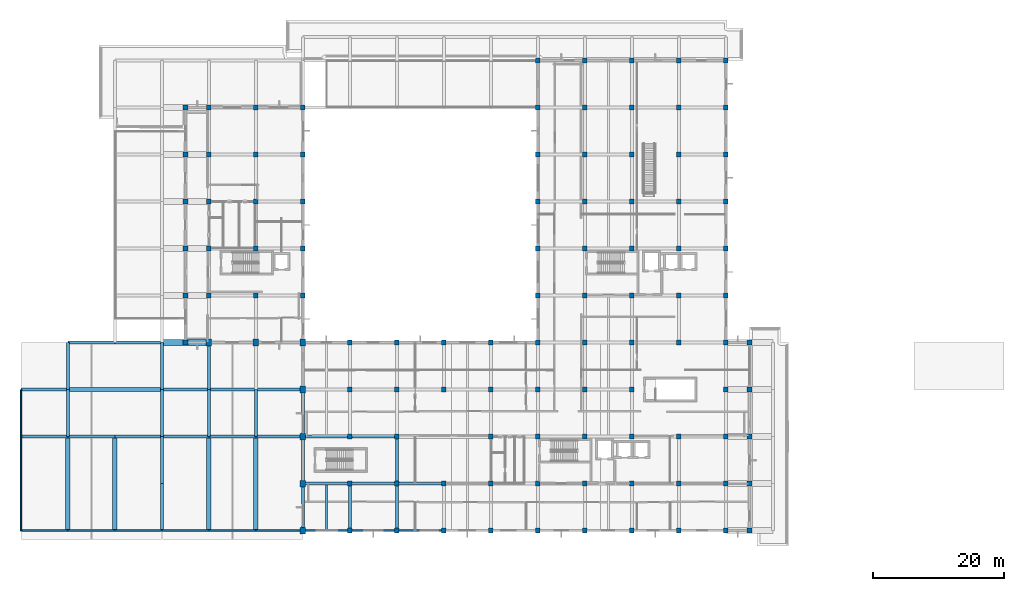
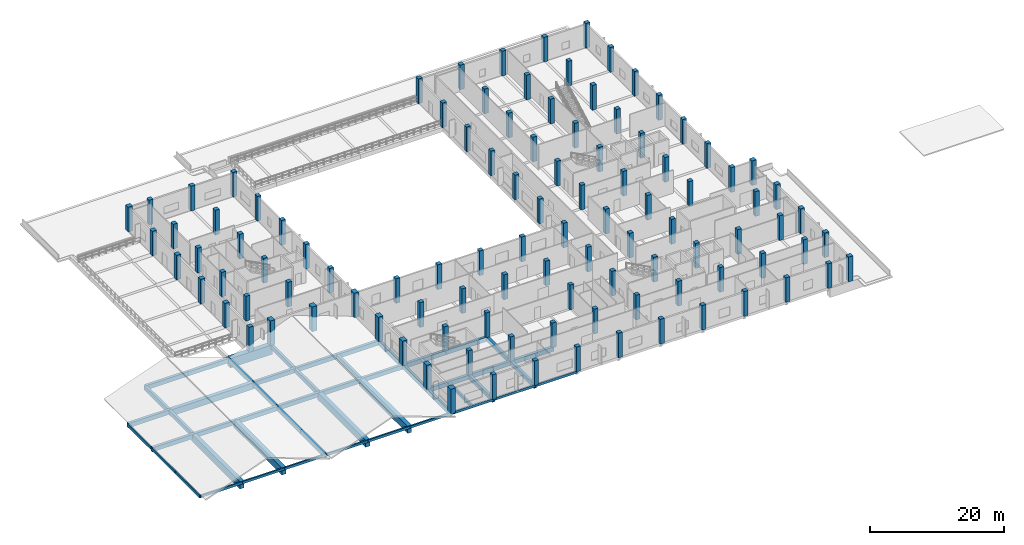
# One storey, part 1 of 24: 106 columns, 51 beams.
"""IFC4 building model written with IfcOpenShell, lengths in metres."""

from ifc_helpers import new_model, si_unit, direction, frame, origin, origin_2d, place, context, subcontext, project, spatial, rectangle, extrude, material, material_profile, profile_set, type_object, element, save


model = new_model("IFC4")

# Units and contexts
model_context = context("Model", 3, precision=1e-05, world=origin(), true_north=direction((0.0, 1.0)))
body_context = subcontext(model_context, "Body", "Model", "MODEL_VIEW")
ifc_project = project(units=[si_unit("LENGTHUNIT", "METRE"), si_unit("AREAUNIT", "SQUARE_METRE"), si_unit("VOLUMEUNIT", "CUBIC_METRE"), si_unit("PLANEANGLEUNIT", "RADIAN"), si_unit("MASSUNIT", "GRAM", prefix="KILO")], contexts=[model_context])

# Site, building, storey
site_placement = place(None, origin())
site = spatial("IfcSite", under=ifc_project, at=site_placement, CompositionType="ELEMENT")
building_placement = place(site_placement, origin())
building = spatial("IfcBuilding", under=site, at=building_placement, Name="Seraya Terrace Polytechnic", CompositionType="ELEMENT")
storey_placement = place(building_placement, frame((0.0, 0.0, 18.89990234375)))
storey = spatial("IfcBuildingStorey", under=building, at=storey_placement, Name="L04", CompositionType="ELEMENT", Elevation=18.89990234375)

# Columns
ifc_material = material(Name="Concrete C40/50", Category="concrete")
ifc_material_profile_1 = material_profile(ifc_material, rectangle(XDim=0.75, YDim=0.75, at=origin_2d()), Name="RC 750x750")
ifc_profile_set_1 = profile_set([ifc_material_profile_1], Name="Concrete C40/50")
column_type_1 = type_object("IfcColumnType", Name="C-06", PredefinedType="COLUMN", material=ifc_profile_set_1)
for number, where, z_axis, x_axis, name in (
    (1, (25.199951171875, 28.800048828125, 0.0), (0.0, 0.0, 1.0), (1.0, 0.0, 0.0), "Column C-06 L04 (25.2, 28.8)"),
    (2, (25.199951171875, 36.0, 0.0), (0.0, 0.0, 1.0), (1.0, 0.0, 0.0), "Column C-06 L04 (25.2, 36.0)"),
    (3, (25.199951171875, 43.199951171875, 0.0), (0.0, 0.0, 1.0), (1.0, 0.0, 0.0), "Column C-06 L04 (25.2, 43.2)"),
    (4, (25.199951171875, 50.39990234375, 0.0), (0.0, 0.0, 1.0), (1.0, 0.0, 0.0), "Column C-06 L04 (25.2, 50.4)"),
    (5, (25.199951171875, 57.60009765625, 0.0), (0.0, 0.0, 1.0), (1.0, 0.0, 0.0), "Column C-06 L04 (25.2, 57.6)"),
    (6, (25.199951171875, 64.800048828125, 0.0), (0.0, 0.0, 1.0), (1.0, 0.0, 0.0), "Column C-06 L04 (25.2, 64.8)"),
    (7, (111.60009765625, 0.0, 0.0), (0.0, 0.0, 1.0), (1.0, 0.0, 0.0), "Column C-06 L04 (111.6, 0.0)"),
    (8, (111.60009765625, 7.199951171875, 0.0), (0.0, 0.0, 1.0), (1.0, 0.0, 0.0), "Column C-06 L04 (111.6, 7.2)"),
    (9, (111.60009765625, 14.39990234375, 0.0), (0.0, 0.0, 1.0), (1.0, 0.0, 0.0), "Column C-06 L04 (111.6, 14.4)"),
    (10, (111.60009765625, 21.60009765625, 0.0), (0.0, 0.0, 1.0), (1.0, 0.0, 0.0), "Column C-06 L04 (111.6, 21.6)"),
    (11, (111.60009765625, 28.800048828125, 0.0), (0.0, 0.0, 1.0), (1.0, 0.0, 0.0), "Column C-06 L04 (111.6, 28.8)"),
):
    element("IfcColumn", number, at=place(storey_placement, frame(where, z_axis=z_axis, x_axis=x_axis)), inside=storey, type_object=column_type_1, Name=name, PredefinedType="COLUMN", context=body_context, shape_type="SweptSolid", body=[
        extrude(rectangle(XDim=0.75, YDim=0.75, at=origin_2d()), origin(), (0.0, 0.0, 1.0), 4.5),
    ])
ifc_material_profile_2 = material_profile(ifc_material, rectangle(XDim=0.699951171875, YDim=0.699951171875, at=origin_2d()), Name="RC 700x700")
ifc_profile_set_2 = profile_set([ifc_material_profile_2], Name="Concrete C40/50")
column_type_2 = type_object("IfcColumnType", Name="C-07", PredefinedType="COLUMN", material=ifc_profile_set_2)
for number, where, z_axis, x_axis, name in (
    (12, (28.800048828125, 36.0, 0.0), (0.0, 0.0, 1.0), (1.0, 0.0, 0.0), "Column C-07 L04 (28.8, 36.0)"),
    (13, (28.800048828125, 43.199951171875, 0.0), (0.0, 0.0, 1.0), (1.0, 0.0, 0.0), "Column C-07 L04 (28.8, 43.2)"),
    (14, (28.800048828125, 50.39990234375, 0.0), (0.0, 0.0, 1.0), (1.0, 0.0, 0.0), "Column C-07 L04 (28.8, 50.4)"),
    (15, (28.800048828125, 57.60009765625, 0.0), (0.0, 0.0, 1.0), (1.0, 0.0, 0.0), "Column C-07 L04 (28.8, 57.6)"),
    (16, (28.800048828125, 64.800048828125, 0.0), (0.0, 0.0, 1.0), (1.0, 0.0, 0.0), "Column C-07 L04 (28.8, 64.8)"),
    (17, (36.0, 36.0, 0.0), (0.0, 0.0, 1.0), (1.0, 0.0, 0.0), "Column C-07 L04 (36.0, 36.0)"),
    (18, (36.0, 43.199951171875, 0.0), (0.0, 0.0, 1.0), (1.0, 0.0, 0.0), "Column C-07 L04 (36.0, 43.2)"),
    (19, (36.0, 50.39990234375, 0.0), (0.0, 0.0, 1.0), (1.0, 0.0, 0.0), "Column C-07 L04 (36.0, 50.4)"),
    (20, (36.0, 57.60009765625, 0.0), (0.0, 0.0, 1.0), (1.0, 0.0, 0.0), "Column C-07 L04 (36.0, 57.6)"),
    (21, (36.0, 64.800048828125, 0.0), (0.0, 0.0, 1.0), (1.0, 0.0, 0.0), "Column C-07 L04 (36.0, 64.8)"),
    (22, (43.199951171875, 36.0, 0.0), (0.0, 0.0, 1.0), (1.0, 0.0, 0.0), "Column C-07 L04 (43.2, 36.0)"),
    (23, (43.199951171875, 43.199951171875, 0.0), (0.0, 0.0, 1.0), (1.0, 0.0, 0.0), "Column C-07 L04 (43.2, 43.2)"),
    (24, (43.199951171875, 50.39990234375, 0.0), (0.0, 0.0, 1.0), (1.0, 0.0, 0.0), "Column C-07 L04 (43.2, 50.4)"),
    (25, (43.199951171875, 57.60009765625, 0.0), (0.0, 0.0, 1.0), (1.0, 0.0, 0.0), "Column C-07 L04 (43.2, 57.6)"),
    (26, (43.199951171875, 64.800048828125, 0.0), (0.0, 0.0, 1.0), (1.0, 0.0, 0.0), "Column C-07 L04 (43.2, 64.8)"),
    (27, (50.39990234375, 0.0, 0.0), (0.0, 0.0, 1.0), (1.0, 0.0, 0.0), "Column C-07 L04 (50.4, 0.0)"),
    (28, (50.39990234375, 7.199951171875, 0.0), (0.0, 0.0, 1.0), (1.0, 0.0, 0.0), "Column C-07 L04 (50.4, 7.2)"),
    (29, (50.39990234375, 14.39990234375, 0.0), (0.0, 0.0, 1.0), (1.0, 0.0, 0.0), "Column C-07 L04 (50.4, 14.4)"),
    (30, (50.39990234375, 21.60009765625, 0.0), (0.0, 0.0, 1.0), (1.0, 0.0, 0.0), "Column C-07 L04 (50.4, 21.6)"),
    (31, (50.39990234375, 28.800048828125, 0.0), (0.0, 0.0, 1.0), (1.0, 0.0, 0.0), "Column C-07 L04 (50.4, 28.8)"),
    (32, (57.60009765625, 0.0, 0.0), (0.0, 0.0, 1.0), (1.0, 0.0, 0.0), "Column C-07 L04 (57.6, 0.0)"),
    (33, (57.60009765625, 7.199951171875, 0.0), (0.0, 0.0, 1.0), (1.0, 0.0, 0.0), "Column C-07 L04 (57.6, 7.2)"),
    (34, (57.60009765625, 14.39990234375, 0.0), (0.0, 0.0, 1.0), (1.0, 0.0, 0.0), "Column C-07 L04 (57.6, 14.4)"),
    (35, (57.60009765625, 21.60009765625, 0.0), (0.0, 0.0, 1.0), (1.0, 0.0, 0.0), "Column C-07 L04 (57.6, 21.6)"),
    (36, (57.60009765625, 28.800048828125, 0.0), (0.0, 0.0, 1.0), (1.0, 0.0, 0.0), "Column C-07 L04 (57.6, 28.8)"),
    (37, (64.800048828125, 0.0, 0.0), (0.0, 0.0, 1.0), (1.0, 0.0, 0.0), "Column C-07 L04 (64.8, 0.0)"),
    (38, (64.800048828125, 7.199951171875, 0.0), (0.0, 0.0, 1.0), (1.0, 0.0, 0.0), "Column C-07 L04 (64.8, 7.2)"),
    (39, (64.800048828125, 21.60009765625, 0.0), (0.0, 0.0, 1.0), (1.0, 0.0, 0.0), "Column C-07 L04 (64.8, 21.6)"),
    (40, (64.800048828125, 28.800048828125, 0.0), (0.0, 0.0, 1.0), (1.0, 0.0, 0.0), "Column C-07 L04 (64.8, 28.8)"),
    (41, (72.0, 0.0, 0.0), (0.0, 0.0, 1.0), (1.0, 0.0, 0.0), "Column C-07 L04 (72.0, 0.0)"),
    (42, (72.0, 7.199951171875, 0.0), (0.0, 0.0, 1.0), (1.0, 0.0, 0.0), "Column C-07 L04 (72.0, 7.2)"),
    (43, (72.0, 14.39990234375, 0.0), (0.0, 0.0, 1.0), (1.0, 0.0, 0.0), "Column C-07 L04 (72.0, 14.4)"),
    (44, (72.0, 21.60009765625, 0.0), (0.0, 0.0, 1.0), (1.0, 0.0, 0.0), "Column C-07 L04 (72.0, 21.6)"),
    (45, (72.0, 28.800048828125, 0.0), (0.0, 0.0, 1.0), (1.0, 0.0, 0.0), "Column C-07 L04 (72.0, 28.8)"),
    (46, (79.199951171875, 0.0, 0.0), (0.0, 0.0, 1.0), (1.0, 0.0, 0.0), "Column C-07 L04 (79.2, 0.0)"),
    (47, (79.199951171875, 7.199951171875, 0.0), (0.0, 0.0, 1.0), (1.0, 0.0, 0.0), "Column C-07 L04 (79.2, 7.2)"),
    (48, (79.199951171875, 14.39990234375, 0.0), (0.0, 0.0, 1.0), (1.0, 0.0, 0.0), "Column C-07 L04 (79.2, 14.4)"),
    (49, (79.199951171875, 21.60009765625, 0.0), (0.0, 0.0, 1.0), (1.0, 0.0, 0.0), "Column C-07 L04 (79.2, 21.6)"),
    (50, (79.199951171875, 28.800048828125, 0.0), (0.0, 0.0, 1.0), (1.0, 0.0, 0.0), "Column C-07 L04 (79.2, 28.8)"),
    (51, (79.199951171875, 36.0, 0.0), (0.0, 0.0, 1.0), (1.0, 0.0, 0.0), "Column C-07 L04 (79.2, 36.0)"),
    (52, (79.199951171875, 43.199951171875, 0.0), (0.0, 0.0, 1.0), (1.0, 0.0, 0.0), "Column C-07 L04 (79.2, 43.2)"),
    (53, (79.199951171875, 50.39990234375, 0.0), (0.0, 0.0, 1.0), (1.0, 0.0, 0.0), "Column C-07 L04 (79.2, 50.4)"),
    (54, (79.199951171875, 57.60009765625, 0.0), (0.0, 0.0, 1.0), (1.0, 0.0, 0.0), "Column C-07 L04 (79.2, 57.6)"),
    (55, (79.199951171875, 64.800048828125, 0.0), (0.0, 0.0, 1.0), (1.0, 0.0, 0.0), "Column C-07 L04 (79.2, 64.8)"),
    (56, (79.199951171875, 72.0, 0.0), (0.0, 0.0, 1.0), (1.0, 0.0, 0.0), "Column C-07 L04 (79.2, 72.0)"),
    (57, (86.39990234375, 0.0, 0.0), (0.0, 0.0, 1.0), (1.0, 0.0, 0.0), "Column C-07 L04 (86.4, 0.0)"),
    (58, (86.39990234375, 7.199951171875, 0.0), (0.0, 0.0, 1.0), (1.0, 0.0, 0.0), "Column C-07 L04 (86.4, 7.2)"),
    (59, (86.39990234375, 14.39990234375, 0.0), (0.0, 0.0, 1.0), (1.0, 0.0, 0.0), "Column C-07 L04 (86.4, 14.4)"),
    (60, (86.39990234375, 21.60009765625, 0.0), (0.0, 0.0, 1.0), (1.0, 0.0, 0.0), "Column C-07 L04 (86.4, 21.6)"),
    (61, (86.39990234375, 28.800048828125, 0.0), (0.0, 0.0, 1.0), (1.0, 0.0, 0.0), "Column C-07 L04 (86.4, 28.8)"),
    (62, (86.39990234375, 36.0, 0.0), (0.0, 0.0, 1.0), (1.0, 0.0, 0.0), "Column C-07 L04 (86.4, 36.0)"),
    (63, (86.39990234375, 43.199951171875, 0.0), (0.0, 0.0, 1.0), (1.0, 0.0, 0.0), "Column C-07 L04 (86.4, 43.2)"),
    (64, (86.39990234375, 50.39990234375, 0.0), (0.0, 0.0, 1.0), (1.0, 0.0, 0.0), "Column C-07 L04 (86.4, 50.4)"),
    (65, (86.39990234375, 57.60009765625, 0.0), (0.0, 0.0, 1.0), (1.0, 0.0, 0.0), "Column C-07 L04 (86.4, 57.6)"),
    (66, (86.39990234375, 64.800048828125, 0.0), (0.0, 0.0, 1.0), (1.0, 0.0, 0.0), "Column C-07 L04 (86.4, 64.8)"),
    (67, (86.39990234375, 72.0, 0.0), (0.0, 0.0, 1.0), (1.0, 0.0, 0.0), "Column C-07 L04 (86.4, 72.0)"),
    (68, (93.60009765625, 0.0, 0.0), (0.0, 0.0, 1.0), (1.0, 0.0, 0.0), "Column C-07 L04 (93.6, 0.0)"),
    (69, (93.60009765625, 7.199951171875, 0.0), (0.0, 0.0, 1.0), (1.0, 0.0, 0.0), "Column C-07 L04 (93.6, 7.2)"),
    (70, (93.60009765625, 14.39990234375, 0.0), (0.0, 0.0, 1.0), (1.0, 0.0, 0.0), "Column C-07 L04 (93.6, 14.4)"),
    (71, (93.60009765625, 21.60009765625, 0.0), (0.0, 0.0, 1.0), (1.0, 0.0, 0.0), "Column C-07 L04 (93.6, 21.6)"),
    (72, (93.60009765625, 28.800048828125, 0.0), (0.0, 0.0, 1.0), (1.0, 0.0, 0.0), "Column C-07 L04 (93.6, 28.8)"),
    (73, (93.60009765625, 36.0, 0.0), (0.0, 0.0, 1.0), (1.0, 0.0, 0.0), "Column C-07 L04 (93.6, 36.0)"),
    (74, (93.60009765625, 43.199951171875, 0.0), (0.0, 0.0, 1.0), (1.0, 0.0, 0.0), "Column C-07 L04 (93.6, 43.2)"),
    (75, (93.60009765625, 50.39990234375, 0.0), (0.0, 0.0, 1.0), (1.0, 0.0, 0.0), "Column C-07 L04 (93.6, 50.4)"),
    (76, (93.60009765625, 57.60009765625, 0.0), (0.0, 0.0, 1.0), (1.0, 0.0, 0.0), "Column C-07 L04 (93.6, 57.6)"),
    (77, (93.60009765625, 64.800048828125, 0.0), (0.0, 0.0, 1.0), (1.0, 0.0, 0.0), "Column C-07 L04 (93.6, 64.8)"),
    (78, (93.60009765625, 72.0, 0.0), (0.0, 0.0, 1.0), (1.0, 0.0, 0.0), "Column C-07 L04 (93.6, 72.0)"),
    (79, (100.800048828125, 0.0, 0.0), (0.0, 0.0, 1.0), (1.0, 0.0, 0.0), "Column C-07 L04 (100.8, 0.0)"),
    (80, (100.800048828125, 7.199951171875, 0.0), (0.0, 0.0, 1.0), (1.0, 0.0, 0.0), "Column C-07 L04 (100.8, 7.2)"),
    (81, (100.800048828125, 14.39990234375, 0.0), (0.0, 0.0, 1.0), (1.0, 0.0, 0.0), "Column C-07 L04 (100.8, 14.4)"),
    (82, (100.800048828125, 28.800048828125, 0.0), (0.0, 0.0, 1.0), (1.0, 0.0, 0.0), "Column C-07 L04 (100.8, 28.8)"),
    (83, (100.800048828125, 36.0, 0.0), (0.0, 0.0, 1.0), (1.0, 0.0, 0.0), "Column C-07 L04 (100.8, 36.0)"),
    (84, (100.800048828125, 43.199951171875, 0.0), (0.0, 0.0, 1.0), (1.0, 0.0, 0.0), "Column C-07 L04 (100.8, 43.2)"),
    (85, (100.800048828125, 50.39990234375, 0.0), (0.0, 0.0, 1.0), (1.0, 0.0, 0.0), "Column C-07 L04 (100.8, 50.4)"),
    (86, (100.800048828125, 57.60009765625, 0.0), (0.0, 0.0, 1.0), (1.0, 0.0, 0.0), "Column C-07 L04 (100.8, 57.6)"),
    (87, (100.800048828125, 64.800048828125, 0.0), (0.0, 0.0, 1.0), (1.0, 0.0, 0.0), "Column C-07 L04 (100.8, 64.8)"),
    (88, (100.800048828125, 72.0, 0.0), (0.0, 0.0, 1.0), (1.0, 0.0, 0.0), "Column C-07 L04 (100.8, 72.0)"),
    (89, (108.0, 0.0, 0.0), (0.0, 0.0, 1.0), (1.0, 0.0, 0.0), "Column C-07 L04 (108.0, 0.0)"),
    (90, (108.0, 7.199951171875, 0.0), (0.0, 0.0, 1.0), (1.0, 0.0, 0.0), "Column C-07 L04 (108.0, 7.2)"),
    (91, (108.0, 14.39990234375, 0.0), (0.0, 0.0, 1.0), (1.0, 0.0, 0.0), "Column C-07 L04 (108.0, 14.4)"),
    (92, (108.0, 21.60009765625, 0.0), (0.0, 0.0, 1.0), (1.0, 0.0, 0.0), "Column C-07 L04 (108.0, 21.6)"),
    (93, (108.0, 28.800048828125, 0.0), (0.0, 0.0, 1.0), (1.0, 0.0, 0.0), "Column C-07 L04 (108.0, 28.8)"),
    (94, (108.0, 36.0, 0.0), (0.0, 0.0, 1.0), (1.0, 0.0, 0.0), "Column C-07 L04 (108.0, 36.0)"),
    (95, (108.0, 43.199951171875, 0.0), (0.0, 0.0, 1.0), (1.0, 0.0, 0.0), "Column C-07 L04 (108.0, 43.2)"),
    (96, (108.0, 50.39990234375, 0.0), (0.0, 0.0, 1.0), (1.0, 0.0, 0.0), "Column C-07 L04 (108.0, 50.4)"),
    (97, (108.0, 57.60009765625, 0.0), (0.0, 0.0, 1.0), (1.0, 0.0, 0.0), "Column C-07 L04 (108.0, 57.6)"),
    (98, (108.0, 64.800048828125, 0.0), (0.0, 0.0, 1.0), (1.0, 0.0, 0.0), "Column C-07 L04 (108.0, 64.8)"),
    (99, (108.0, 72.0, 0.0), (0.0, 0.0, 1.0), (1.0, 0.0, 0.0), "Column C-07 L04 (108.0, 72.0)"),
):
    element("IfcColumn", number, at=place(storey_placement, frame(where, z_axis=z_axis, x_axis=x_axis)), inside=storey, type_object=column_type_2, Name=name, PredefinedType="COLUMN", context=body_context, shape_type="SweptSolid", body=[
        extrude(rectangle(XDim=0.699951171875, YDim=0.699951171875, at=origin_2d()), origin(), (0.0, 0.0, 1.0), 4.5),
    ])
ifc_material_profile_3 = material_profile(ifc_material, rectangle(XDim=0.800048828125, YDim=1.0, at=origin_2d()), Name="RC 800x1000")
ifc_profile_set_3 = profile_set([ifc_material_profile_3], Name="Concrete C40/50")
column_type_3 = type_object("IfcColumnType", Name="C-14", PredefinedType="COLUMN", material=ifc_profile_set_3)
for number, where, z_axis, x_axis, name in (
    (100, (28.800048828125, 28.800048828125, 0.0), (0.0, 0.0, 1.0), (1.0, 0.0, 0.0), "Column C-14 L04 (28.8, 28.8)"),
    (101, (36.0, 28.800048828125, 0.0), (0.0, 0.0, 1.0), (1.0, 0.0, 0.0), "Column C-14 L04 (36.0, 28.8)"),
    (102, (43.199951171875, 0.0, 0.0), (0.0, 0.0, 1.0), (1.0, 0.0, 0.0), "Column C-14 L04 (43.2, 0.0)"),
    (103, (43.199951171875, 7.199951171875, 0.0), (0.0, 0.0, 1.0), (1.0, 0.0, 0.0), "Column C-14 L04 (43.2, 7.2)"),
    (104, (43.199951171875, 14.39990234375, 0.0), (0.0, 0.0, 1.0), (1.0, 0.0, 0.0), "Column C-14 L04 (43.2, 14.4)"),
    (105, (43.199951171875, 21.60009765625, 0.0), (0.0, 0.0, 1.0), (1.0, 0.0, 0.0), "Column C-14 L04 (43.2, 21.6)"),
    (106, (43.199951171875, 28.800048828125, 0.0), (0.0, 0.0, 1.0), (1.0, 0.0, 0.0), "Column C-14 L04 (43.2, 28.8)"),
):
    element("IfcColumn", number, at=place(storey_placement, frame(where, z_axis=z_axis, x_axis=x_axis)), inside=storey, type_object=column_type_3, Name=name, PredefinedType="COLUMN", context=body_context, shape_type="SweptSolid", body=[
        extrude(rectangle(XDim=0.800048828125, YDim=1.0, at=origin_2d()), origin(), (0.0, 0.0, 1.0), 4.5),
    ])

# Beams
ifc_material_profile_4 = material_profile(ifc_material, rectangle(XDim=0.699951171875, YDim=1.300048828125, at=origin_2d()), Name="RC 700x1300")
ifc_profile_set_4 = profile_set([ifc_material_profile_4], Name="Concrete C40/50")
beam_type_1 = type_object("IfcBeamType", Name="BG-01", PredefinedType="USERDEFINED", material=ifc_profile_set_4)
for number, where, z_axis, x_axis, name in (
    (107, (7.199951171875, 0.0, -0.64990234375), (0.0, 1.0, 0.0), (-1.0, 0.0, 0.0), "Beam BG-01 L04 Y (7.2, 0.0..14.4)"),
    (108, (14.39990234375, 0.0, -0.64990234375), (0.0, 1.0, 0.0), (-1.0, 0.0, 0.0), "Beam BG-01 L04 Y (14.4, 0.0..14.4)"),
    (109, (28.800048828125, 0.0, -0.64990234375), (0.0, 1.0, 0.0), (-1.0, 0.0, 0.0), "Beam BG-01 L04 Y (28.8, 0.0..14.4)"),
    (110, (36.0, 0.0, -0.64990234375), (0.0, 1.0, 0.0), (-1.0, 0.0, 0.0), "Beam BG-01 L04 Y (36.0, 0.0..14.4)"),
):
    element("IfcBeam", number, at=place(storey_placement, frame(where, z_axis=z_axis, x_axis=x_axis)), inside=storey, type_object=beam_type_1, Name=name, ObjectType="GIRDER", PredefinedType="USERDEFINED", context=body_context, shape_type="SweptSolid", body=[
        extrude(rectangle(XDim=0.699951171875, YDim=1.300048828125, at=origin_2d()), origin(), (0.0, 0.0, 1.0), 14.39990234375),
    ])
ifc_material_profile_5 = material_profile(ifc_material, rectangle(XDim=0.64990234375, YDim=1.14990234375, at=origin_2d()), Name="RC 650x1150")
ifc_profile_set_5 = profile_set([ifc_material_profile_5], Name="Concrete C40/50")
beam_type_2 = type_object("IfcBeamType", Name="BG-02", PredefinedType="USERDEFINED", material=ifc_profile_set_5)
beam_1_placement = place(storey_placement, frame((7.199951171875, 21.60009765625, -0.574951171875), z_axis=(1.0, 0.0, 0.0), x_axis=(0.0, 1.0, 0.0)))
element("IfcBeam", 111, at=beam_1_placement, inside=storey, type_object=beam_type_2, Name="Beam BG-02 L04 X (7.2..21.6, 21.6)", ObjectType="GIRDER", PredefinedType="USERDEFINED", context=body_context, shape_type="SweptSolid", body=[
    extrude(rectangle(XDim=0.64990234375, YDim=1.14990234375, at=origin_2d()), origin(), (0.0, 0.0, 1.0), 14.400146484375),
])
ifc_material_profile_6 = material_profile(ifc_material, rectangle(XDim=0.47998046875, YDim=0.780029296875, at=origin_2d()), Name="RC 480x780")
ifc_profile_set_6 = profile_set([ifc_material_profile_6], Name="Concrete C40/50")
beam_type_3 = type_object("IfcBeamType", Name="BM-06", PredefinedType="BEAM", material=ifc_profile_set_6)
beam_2_placement = place(storey_placement, frame((43.199951171875, 7.199951171875, -0.389892578125), z_axis=(1.0, 0.0, 0.0), x_axis=(0.0, 1.0, 0.0)))
element("IfcBeam", 112, at=beam_2_placement, inside=storey, type_object=beam_type_3, Name="Beam BM-06 L04 X (43.2..50.4, 7.2)", PredefinedType="BEAM", context=body_context, shape_type="SweptSolid", body=[
    extrude(rectangle(XDim=0.47998046875, YDim=0.780029296875, at=origin_2d()), origin(), (0.0, 0.0, 1.0), 7.199951171875),
])
beam_3_placement = place(storey_placement, frame((50.39990234375, 7.199951171875, -0.389892578125), z_axis=(1.0, 0.0, 0.0), x_axis=(0.0, 1.0, 0.0)))
element("IfcBeam", 113, at=beam_3_placement, inside=storey, type_object=beam_type_3, Name="Beam BM-06 L04 X (50.4..57.6, 7.2)", PredefinedType="BEAM", context=body_context, shape_type="SweptSolid", body=[
    extrude(rectangle(XDim=0.47998046875, YDim=0.780029296875, at=origin_2d()), origin(), (0.0, 0.0, 1.0), 7.2001953125),
])
for number, where, z_axis, x_axis, name in (
    (114, (57.60009765625, 7.199951171875, -0.389892578125), (1.0, 0.0, 0.0), (0.0, 1.0, 0.0), "Beam BM-06 L04 X (57.6..64.8, 7.2)"),
    (115, (0.0, 14.39990234375, -0.389892578125), (1.0, 0.0, 0.0), (0.0, 1.0, 0.0), "Beam BM-06 L04 X (0.0..7.2, 14.4)"),
    (116, (7.199951171875, 14.39990234375, -0.389892578125), (1.0, 0.0, 0.0), (0.0, 1.0, 0.0), "Beam BM-06 L04 X (7.2..14.4, 14.4)"),
):
    element("IfcBeam", number, at=place(storey_placement, frame(where, z_axis=z_axis, x_axis=x_axis)), inside=storey, type_object=beam_type_3, Name=name, PredefinedType="BEAM", context=body_context, shape_type="SweptSolid", body=[
        extrude(rectangle(XDim=0.47998046875, YDim=0.780029296875, at=origin_2d()), origin(), (0.0, 0.0, 1.0), 7.199951171875),
    ])
beam_4_placement = place(storey_placement, frame((14.39990234375, 14.39990234375, -0.389892578125), z_axis=(1.0, 0.0, 0.0), x_axis=(0.0, 1.0, 0.0)))
element("IfcBeam", 117, at=beam_4_placement, inside=storey, type_object=beam_type_3, Name="Beam BM-06 L04 X (14.4..21.6, 14.4)", PredefinedType="BEAM", context=body_context, shape_type="SweptSolid", body=[
    extrude(rectangle(XDim=0.47998046875, YDim=0.780029296875, at=origin_2d()), origin(), (0.0, 0.0, 1.0), 7.2001953125),
])
for number, where, z_axis, x_axis, name in (
    (118, (21.60009765625, 14.39990234375, -0.389892578125), (1.0, 0.0, 0.0), (0.0, 1.0, 0.0), "Beam BM-06 L04 X (21.6..28.8, 14.4)"),
    (119, (28.800048828125, 14.39990234375, -0.389892578125), (1.0, 0.0, 0.0), (0.0, 1.0, 0.0), "Beam BM-06 L04 X (28.8..36.0, 14.4)"),
    (120, (36.0, 14.39990234375, -0.389892578125), (1.0, 0.0, 0.0), (0.0, 1.0, 0.0), "Beam BM-06 L04 X (36.0..43.2, 14.4)"),
    (121, (43.199951171875, 14.39990234375, -0.389892578125), (1.0, 0.0, 0.0), (0.0, 1.0, 0.0), "Beam BM-06 L04 X (43.2..50.4, 14.4)"),
):
    element("IfcBeam", number, at=place(storey_placement, frame(where, z_axis=z_axis, x_axis=x_axis)), inside=storey, type_object=beam_type_3, Name=name, PredefinedType="BEAM", context=body_context, shape_type="SweptSolid", body=[
        extrude(rectangle(XDim=0.47998046875, YDim=0.780029296875, at=origin_2d()), origin(), (0.0, 0.0, 1.0), 7.199951171875),
    ])
beam_5_placement = place(storey_placement, frame((50.39990234375, 14.39990234375, -0.389892578125), z_axis=(1.0, 0.0, 0.0), x_axis=(0.0, 1.0, 0.0)))
element("IfcBeam", 122, at=beam_5_placement, inside=storey, type_object=beam_type_3, Name="Beam BM-06 L04 X (50.4..57.6, 14.4)", PredefinedType="BEAM", context=body_context, shape_type="SweptSolid", body=[
    extrude(rectangle(XDim=0.47998046875, YDim=0.780029296875, at=origin_2d()), origin(), (0.0, 0.0, 1.0), 7.2001953125),
])
for number, where, z_axis, x_axis, name in (
    (123, (0.0, 21.60009765625, -0.389892578125), (1.0, 0.0, 0.0), (0.0, 1.0, 0.0), "Beam BM-06 L04 X (0.0..7.2, 21.6)"),
    (124, (21.60009765625, 21.60009765625, -0.389892578125), (1.0, 0.0, 0.0), (0.0, 1.0, 0.0), "Beam BM-06 L04 X (21.6..28.8, 21.6)"),
    (125, (28.800048828125, 21.60009765625, -0.389892578125), (1.0, 0.0, 0.0), (0.0, 1.0, 0.0), "Beam BM-06 L04 X (28.8..36.0, 21.6)"),
    (126, (36.0, 21.60009765625, -0.389892578125), (1.0, 0.0, 0.0), (0.0, 1.0, 0.0), "Beam BM-06 L04 X (36.0..43.2, 21.6)"),
    (127, (7.199951171875, 28.800048828125, -0.389892578125), (1.0, 0.0, 0.0), (0.0, 1.0, 0.0), "Beam BM-06 L04 X (7.2..14.4, 28.8)"),
):
    element("IfcBeam", number, at=place(storey_placement, frame(where, z_axis=z_axis, x_axis=x_axis)), inside=storey, type_object=beam_type_3, Name=name, PredefinedType="BEAM", context=body_context, shape_type="SweptSolid", body=[
        extrude(rectangle(XDim=0.47998046875, YDim=0.780029296875, at=origin_2d()), origin(), (0.0, 0.0, 1.0), 7.199951171875),
    ])
beam_6_placement = place(storey_placement, frame((14.39990234375, 28.800048828125, -0.389892578125), z_axis=(1.0, 0.0, 0.0), x_axis=(0.0, 1.0, 0.0)))
element("IfcBeam", 128, at=beam_6_placement, inside=storey, type_object=beam_type_3, Name="Beam BM-06 L04 X (14.4..21.6, 28.8)", PredefinedType="BEAM", context=body_context, shape_type="SweptSolid", body=[
    extrude(rectangle(XDim=0.47998046875, YDim=0.780029296875, at=origin_2d()), origin(), (0.0, 0.0, 1.0), 7.2001953125),
])
ifc_material_profile_7 = material_profile(ifc_material, rectangle(XDim=0.449951171875, YDim=0.75, at=origin_2d()), Name="RC 450x750")
ifc_profile_set_7 = profile_set([ifc_material_profile_7], Name="Concrete C40/50")
beam_type_4 = type_object("IfcBeamType", Name="BM-08", PredefinedType="BEAM", material=ifc_profile_set_7)
beam_7_placement = place(storey_placement, frame((7.199951171875, 14.39990234375, -0.375), z_axis=(0.0, 1.0, 0.0), x_axis=(-1.0, 0.0, 0.0)))
element("IfcBeam", 129, at=beam_7_placement, inside=storey, type_object=beam_type_4, Name="Beam BM-08 L04 Y (7.2, 14.4..21.6)", PredefinedType="BEAM", context=body_context, shape_type="SweptSolid", body=[
    extrude(rectangle(XDim=0.449951171875, YDim=0.75, at=origin_2d()), origin(), (0.0, 0.0, 1.0), 7.2001953125),
])
for number, where, z_axis, x_axis, name in (
    (130, (7.199951171875, 21.60009765625, -0.375), (0.0, 1.0, 0.0), (-1.0, 0.0, 0.0), "Beam BM-08 L04 Y (7.2, 21.6..28.8)"),
    (131, (21.60009765625, 0.0, -0.375), (0.0, 1.0, 0.0), (-1.0, 0.0, 0.0), "Beam BM-08 L04 Y (21.6, 0.0..7.2)"),
    (132, (21.60009765625, 7.199951171875, -0.375), (0.0, 1.0, 0.0), (-1.0, 0.0, 0.0), "Beam BM-08 L04 Y (21.6, 7.2..14.4)"),
):
    element("IfcBeam", number, at=place(storey_placement, frame(where, z_axis=z_axis, x_axis=x_axis)), inside=storey, type_object=beam_type_4, Name=name, PredefinedType="BEAM", context=body_context, shape_type="SweptSolid", body=[
        extrude(rectangle(XDim=0.449951171875, YDim=0.75, at=origin_2d()), origin(), (0.0, 0.0, 1.0), 7.199951171875),
    ])
beam_8_placement = place(storey_placement, frame((21.60009765625, 14.39990234375, -0.375), z_axis=(0.0, 1.0, 0.0), x_axis=(-1.0, 0.0, 0.0)))
element("IfcBeam", 133, at=beam_8_placement, inside=storey, type_object=beam_type_4, Name="Beam BM-08 L04 Y (21.6, 14.4..21.6)", PredefinedType="BEAM", context=body_context, shape_type="SweptSolid", body=[
    extrude(rectangle(XDim=0.449951171875, YDim=0.75, at=origin_2d()), origin(), (0.0, 0.0, 1.0), 7.2001953125),
])
beam_9_placement = place(storey_placement, frame((21.60009765625, 21.60009765625, -0.375), z_axis=(0.0, 1.0, 0.0), x_axis=(-1.0, 0.0, 0.0)))
element("IfcBeam", 134, at=beam_9_placement, inside=storey, type_object=beam_type_4, Name="Beam BM-08 L04 Y (21.6, 21.6..28.8)", PredefinedType="BEAM", context=body_context, shape_type="SweptSolid", body=[
    extrude(rectangle(XDim=0.449951171875, YDim=0.75, at=origin_2d()), origin(), (0.0, 0.0, 1.0), 7.199951171875),
])
beam_10_placement = place(storey_placement, frame((28.800048828125, 14.39990234375, -0.375), z_axis=(0.0, 1.0, 0.0), x_axis=(-1.0, 0.0, 0.0)))
element("IfcBeam", 135, at=beam_10_placement, inside=storey, type_object=beam_type_4, Name="Beam BM-08 L04 Y (28.8, 14.4..21.6)", PredefinedType="BEAM", context=body_context, shape_type="SweptSolid", body=[
    extrude(rectangle(XDim=0.449951171875, YDim=0.75, at=origin_2d()), origin(), (0.0, 0.0, 1.0), 7.2001953125),
])
beam_11_placement = place(storey_placement, frame((28.800048828125, 21.60009765625, -0.375), z_axis=(0.0, 1.0, 0.0), x_axis=(-1.0, 0.0, 0.0)))
element("IfcBeam", 136, at=beam_11_placement, inside=storey, type_object=beam_type_4, Name="Beam BM-08 L04 Y (28.8, 21.6..28.8)", PredefinedType="BEAM", context=body_context, shape_type="SweptSolid", body=[
    extrude(rectangle(XDim=0.449951171875, YDim=0.75, at=origin_2d()), origin(), (0.0, 0.0, 1.0), 7.199951171875),
])
beam_12_placement = place(storey_placement, frame((36.0, 14.39990234375, -0.375), z_axis=(0.0, 1.0, 0.0), x_axis=(-1.0, 0.0, 0.0)))
element("IfcBeam", 137, at=beam_12_placement, inside=storey, type_object=beam_type_4, Name="Beam BM-08 L04 Y (36.0, 14.4..21.6)", PredefinedType="BEAM", context=body_context, shape_type="SweptSolid", body=[
    extrude(rectangle(XDim=0.449951171875, YDim=0.75, at=origin_2d()), origin(), (0.0, 0.0, 1.0), 7.2001953125),
])
for number, where, z_axis, x_axis, name in (
    (138, (43.199951171875, 0.0, -0.375), (0.0, 1.0, 0.0), (-1.0, 0.0, 0.0), "Beam BM-08 L04 Y (43.2, 0.0..7.2)"),
    (139, (43.199951171875, 7.199951171875, -0.375), (0.0, 1.0, 0.0), (-1.0, 0.0, 0.0), "Beam BM-08 L04 Y (43.2, 7.2..14.4)"),
):
    element("IfcBeam", number, at=place(storey_placement, frame(where, z_axis=z_axis, x_axis=x_axis)), inside=storey, type_object=beam_type_4, Name=name, PredefinedType="BEAM", context=body_context, shape_type="SweptSolid", body=[
        extrude(rectangle(XDim=0.449951171875, YDim=0.75, at=origin_2d()), origin(), (0.0, 0.0, 1.0), 7.199951171875),
    ])
beam_13_placement = place(storey_placement, frame((43.199951171875, 14.39990234375, -0.375), z_axis=(0.0, 1.0, 0.0), x_axis=(-1.0, 0.0, 0.0)))
element("IfcBeam", 140, at=beam_13_placement, inside=storey, type_object=beam_type_4, Name="Beam BM-08 L04 Y (43.2, 14.4..21.6)", PredefinedType="BEAM", context=body_context, shape_type="SweptSolid", body=[
    extrude(rectangle(XDim=0.449951171875, YDim=0.75, at=origin_2d()), origin(), (0.0, 0.0, 1.0), 7.2001953125),
])
for number, where, z_axis, x_axis, name in (
    (141, (50.39990234375, 0.0, -0.375), (0.0, 1.0, 0.0), (-1.0, 0.0, 0.0), "Beam BM-08 L04 Y (50.4, 0.0..7.2)"),
    (142, (57.60009765625, 0.0, -0.375), (0.0, 1.0, 0.0), (-1.0, 0.0, 0.0), "Beam BM-08 L04 Y (57.6, 0.0..7.2)"),
    (143, (57.60009765625, 7.199951171875, -0.375), (0.0, 1.0, 0.0), (-1.0, 0.0, 0.0), "Beam BM-08 L04 Y (57.6, 7.2..14.4)"),
):
    element("IfcBeam", number, at=place(storey_placement, frame(where, z_axis=z_axis, x_axis=x_axis)), inside=storey, type_object=beam_type_4, Name=name, PredefinedType="BEAM", context=body_context, shape_type="SweptSolid", body=[
        extrude(rectangle(XDim=0.449951171875, YDim=0.75, at=origin_2d()), origin(), (0.0, 0.0, 1.0), 7.199951171875),
    ])
ifc_material_profile_8 = material_profile(ifc_material, rectangle(XDim=0.320068359375, YDim=0.5400390625, at=origin_2d()), Name="RC 320x540")
ifc_profile_set_8 = profile_set([ifc_material_profile_8], Name="Concrete C40/50")
beam_type_5 = type_object("IfcBeamType", Name="JS-04", PredefinedType="JOIST", material=ifc_profile_set_8)
beam_14_placement = place(storey_placement, frame((46.800048828125, 0.1298828125, -0.27001953125), z_axis=(0.0, 1.0, 0.0), x_axis=(-1.0, 0.0, 0.0)))
element("IfcBeam", 144, at=beam_14_placement, inside=storey, type_object=beam_type_5, Name="Secondary joist JS-04 L04", PredefinedType="JOIST", context=body_context, shape_type="SweptSolid", body=[
    extrude(rectangle(XDim=0.320068359375, YDim=0.5400390625, at=origin_2d()), origin(), (0.0, 0.0, 1.0), 6.830078125),
])
ifc_material_profile_9 = material_profile(ifc_material, rectangle(XDim=0.260009765625, YDim=0.43994140625, at=origin_2d()), Name="RC 260x440")
ifc_profile_set_9 = profile_set([ifc_material_profile_9], Name="Concrete C40/50")
beam_type_6 = type_object("IfcBeamType", Name="SP-02", PredefinedType="SPANDREL", material=ifc_profile_set_9)
for number, where, z_axis, x_axis, name in (
    (145, (0.0, 0.0, -0.219970703125), (1.0, 0.0, 0.0), (0.0, 1.0, 0.0), "Beam SP-02 L04 X (0.0..7.2, 0.0)"),
    (146, (7.199951171875, 0.0, -0.219970703125), (1.0, 0.0, 0.0), (0.0, 1.0, 0.0), "Beam SP-02 L04 X (7.2..14.4, 0.0)"),
):
    element("IfcBeam", number, at=place(storey_placement, frame(where, z_axis=z_axis, x_axis=x_axis)), inside=storey, type_object=beam_type_6, Name=name, PredefinedType="SPANDREL", context=body_context, shape_type="SweptSolid", body=[
        extrude(rectangle(XDim=0.260009765625, YDim=0.43994140625, at=origin_2d()), origin(), (0.0, 0.0, 1.0), 7.199951171875),
    ])
beam_15_placement = place(storey_placement, frame((14.39990234375, 0.0, -0.219970703125), z_axis=(1.0, 0.0, 0.0), x_axis=(0.0, 1.0, 0.0)))
element("IfcBeam", 147, at=beam_15_placement, inside=storey, type_object=beam_type_6, Name="Beam SP-02 L04 X (14.4..21.6, 0.0)", PredefinedType="SPANDREL", context=body_context, shape_type="SweptSolid", body=[
    extrude(rectangle(XDim=0.260009765625, YDim=0.43994140625, at=origin_2d()), origin(), (0.0, 0.0, 1.0), 7.2001953125),
])
for number, where, z_axis, x_axis, name in (
    (148, (21.60009765625, 0.0, -0.219970703125), (1.0, 0.0, 0.0), (0.0, 1.0, 0.0), "Beam SP-02 L04 X (21.6..28.8, 0.0)"),
    (149, (28.800048828125, 0.0, -0.219970703125), (1.0, 0.0, 0.0), (0.0, 1.0, 0.0), "Beam SP-02 L04 X (28.8..36.0, 0.0)"),
    (150, (36.0, 0.0, -0.219970703125), (1.0, 0.0, 0.0), (0.0, 1.0, 0.0), "Beam SP-02 L04 X (36.0..43.2, 0.0)"),
    (151, (43.199951171875, 0.0, -0.219970703125), (1.0, 0.0, 0.0), (0.0, 1.0, 0.0), "Beam SP-02 L04 X (43.2..50.4, 0.0)"),
):
    element("IfcBeam", number, at=place(storey_placement, frame(where, z_axis=z_axis, x_axis=x_axis)), inside=storey, type_object=beam_type_6, Name=name, PredefinedType="SPANDREL", context=body_context, shape_type="SweptSolid", body=[
        extrude(rectangle(XDim=0.260009765625, YDim=0.43994140625, at=origin_2d()), origin(), (0.0, 0.0, 1.0), 7.199951171875),
    ])
beam_16_placement = place(storey_placement, frame((50.39990234375, 0.0, -0.219970703125), z_axis=(1.0, 0.0, 0.0), x_axis=(0.0, 1.0, 0.0)))
element("IfcBeam", 152, at=beam_16_placement, inside=storey, type_object=beam_type_6, Name="Beam SP-02 L04 X (50.4..57.6, 0.0)", PredefinedType="SPANDREL", context=body_context, shape_type="SweptSolid", body=[
    extrude(rectangle(XDim=0.260009765625, YDim=0.43994140625, at=origin_2d()), origin(), (0.0, 0.0, 1.0), 7.2001953125),
])
beam_17_placement = place(storey_placement, frame((57.60009765625, 0.0, -0.219970703125), z_axis=(1.0, 0.0, 0.0), x_axis=(0.0, 1.0, 0.0)))
element("IfcBeam", 153, at=beam_17_placement, inside=storey, type_object=beam_type_6, Name="Beam SP-02 L04 X (57.6..64.8, 0.0)", PredefinedType="SPANDREL", context=body_context, shape_type="SweptSolid", body=[
    extrude(rectangle(XDim=0.260009765625, YDim=0.43994140625, at=origin_2d()), origin(), (0.0, 0.0, 1.0), 7.199951171875),
])
ifc_material_profile_10 = material_profile(ifc_material, rectangle(XDim=0.25, YDim=0.5, at=origin_2d()), Name="RC 250x500")
ifc_profile_set_10 = profile_set([ifc_material_profile_10], Name="Concrete C40/50")
beam_type_7 = type_object("IfcBeamType", Name="SP-03", PredefinedType="SPANDREL", material=ifc_profile_set_10)
for number, where, z_axis, x_axis, name in (
    (154, (0.0, 0.0, -0.25), (0.0, 1.0, 0.0), (-1.0, 0.0, 0.0), "Beam SP-03 L04 Y (0.0, 0.0..7.2)"),
    (155, (0.0, 7.199951171875, -0.25), (0.0, 1.0, 0.0), (-1.0, 0.0, 0.0), "Beam SP-03 L04 Y (0.0, 7.2..14.4)"),
):
    element("IfcBeam", number, at=place(storey_placement, frame(where, z_axis=z_axis, x_axis=x_axis)), inside=storey, type_object=beam_type_7, Name=name, PredefinedType="SPANDREL", context=body_context, shape_type="SweptSolid", body=[
        extrude(rectangle(XDim=0.25, YDim=0.5, at=origin_2d()), origin(), (0.0, 0.0, 1.0), 7.199951171875),
    ])
beam_18_placement = place(storey_placement, frame((0.0, 14.39990234375, -0.25), z_axis=(0.0, 1.0, 0.0), x_axis=(-1.0, 0.0, 0.0)))
element("IfcBeam", 156, at=beam_18_placement, inside=storey, type_object=beam_type_7, Name="Beam SP-03 L04 Y (0.0, 14.4..21.6)", PredefinedType="SPANDREL", context=body_context, shape_type="SweptSolid", body=[
    extrude(rectangle(XDim=0.25, YDim=0.5, at=origin_2d()), origin(), (0.0, 0.0, 1.0), 7.2001953125),
])
ifc_material_profile_11 = material_profile(ifc_material, rectangle(XDim=0.85009765625, YDim=1.699951171875, at=origin_2d()), Name="RC 850x1700")
ifc_profile_set_11 = profile_set([ifc_material_profile_11], Name="Concrete C40/50")
beam_type_8 = type_object("IfcBeamType", Name="TG-02", PredefinedType="USERDEFINED", material=ifc_profile_set_11)
beam_19_placement = place(storey_placement, frame((21.60009765625, 28.800048828125, -0.849853515625), z_axis=(1.0, 0.0, 0.0), x_axis=(0.0, 1.0, 0.0)))
element("IfcBeam", 157, at=beam_19_placement, inside=storey, type_object=beam_type_8, Name="Transfer girder TG-02 L04 #22", ObjectType="GIRDER", PredefinedType="USERDEFINED", context=body_context, shape_type="SweptSolid", body=[
    extrude(rectangle(XDim=0.85009765625, YDim=1.699951171875, at=origin_2d()), origin(), (0.0, 0.0, 1.0), 7.199951171875),
])

save(model, "model.ifc")
